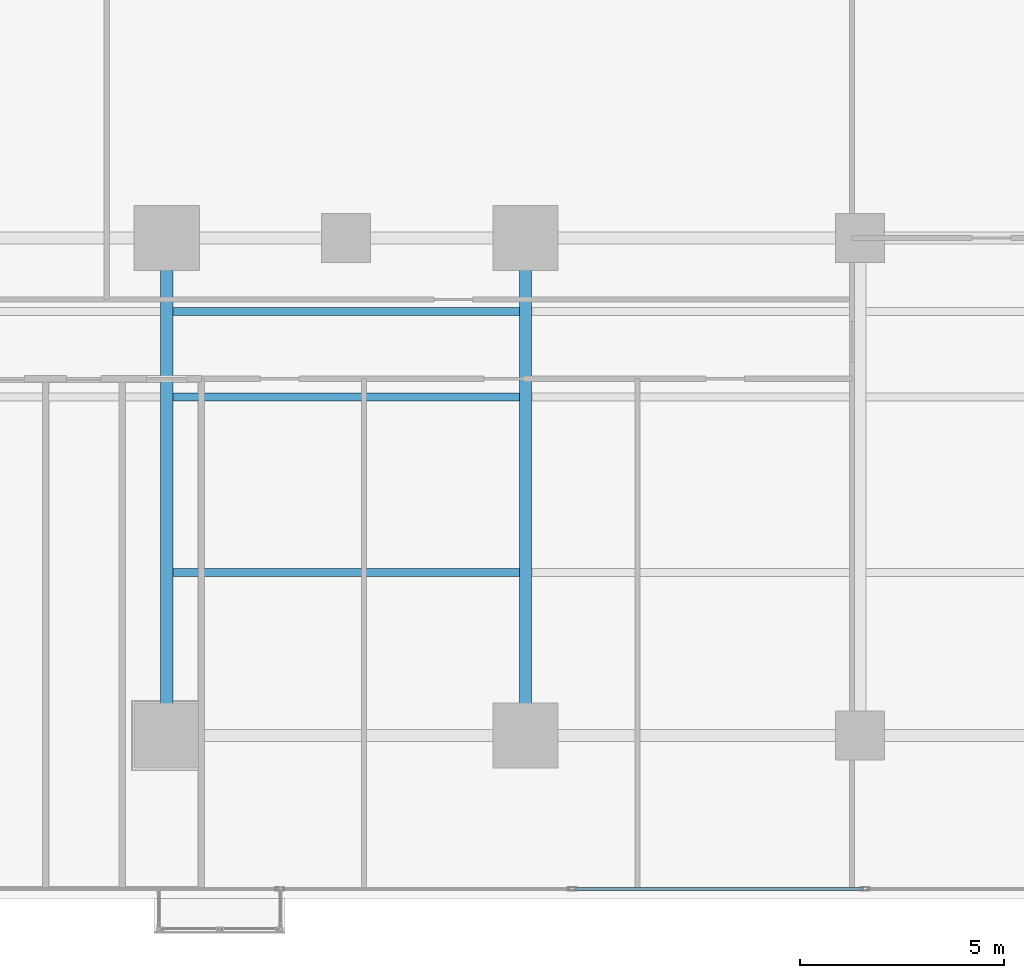
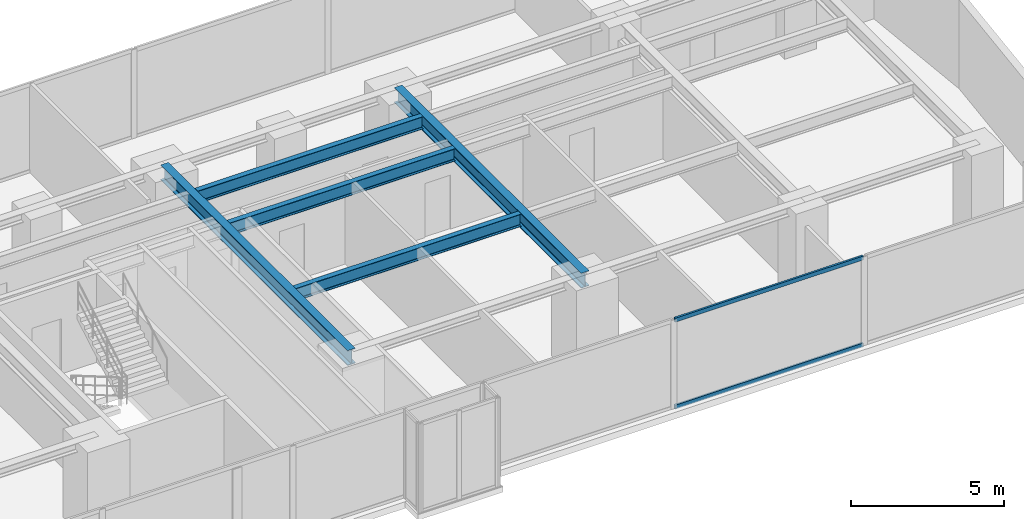
# One storey, part 10 of 28: 5 beams, 2 members, 1 element without a shape of its own.
"""IFC4 building model written with IfcOpenShell, lengths in metres."""

from ifc_helpers import new_model, si_unit, direction, frame, origin, origin_with_axes, origin_2d, place, context, subcontext, project, spatial, hollow_rectangle, i_section, extrude, source, transform, mapped, material, layer, layer_set, material_profile, profile_set, type_object, element, aggregate, save


model = new_model("IFC4")

# Units and contexts
model_context = context("Model", 3, precision=1e-05, world=origin(), true_north=direction((0.0, 1.0)))
body_context = subcontext(model_context, "Body", "Model", "MODEL_VIEW")
ifc_project = project(units=[si_unit("LENGTHUNIT", "METRE"), si_unit("AREAUNIT", "SQUARE_METRE"), si_unit("VOLUMEUNIT", "CUBIC_METRE"), si_unit("PLANEANGLEUNIT", "RADIAN"), si_unit("MASSUNIT", "GRAM", prefix="KILO")], contexts=[model_context])

# Site, building, storey
site_placement = place(None, origin())
site = spatial("IfcSite", under=ifc_project, at=site_placement, CompositionType="ELEMENT")
building_placement = place(site_placement, origin())
building = spatial("IfcBuilding", under=site, at=building_placement, Name="Kolvaren Waterfront Exchange", CompositionType="ELEMENT")
storey_placement = place(building_placement, frame((0.0, 0.0, 56.199951171875)))
storey = spatial("IfcBuildingStorey", under=building, at=storey_placement, Name="L14", CompositionType="ELEMENT", Elevation=56.199951171875)

# Beams
ifc_material_1 = material(Name="Steel S355", Category="steel")
ifc_material_profile_1 = material_profile(ifc_material_1, i_section(OverallWidth=0.300048828125, OverallDepth=0.60009765625, WebThickness=0.015380859375, FlangeThickness=0.030029296875, FilletRadius=0.027099609375, at=origin_2d()), Name="HEB600")
ifc_profile_set_1 = profile_set([ifc_material_profile_1], Name="Steel S355")
beam_type_1 = type_object("IfcBeamType", Name="STR-BM-HEB600", PredefinedType="BEAM", material=ifc_profile_set_1)
for number, where, z_axis, x_axis, name in (
    (1, (36.800048828125, 5.199951171875, 3.239990234375), (0.0, 1.0, 0.0), (-1.0, 0.0, 0.0), "L14 east-arm transverse girder X36"),
    (2, (45.60009765625, 5.199951171875, 3.239990234375), (0.0, 1.0, 0.0), (-1.0, 0.0, 0.0), "L14 east-arm transverse girder X45"),
):
    element("IfcBeam", number, at=place(storey_placement, frame(where, z_axis=z_axis, x_axis=x_axis)), inside=storey, type_object=beam_type_1, Name=name, PredefinedType="BEAM", context=body_context, shape_type="SweptSolid", body=[
        extrude(i_section(OverallWidth=0.300048828125, OverallDepth=0.60009765625, WebThickness=0.015380859375, FlangeThickness=0.030029296875, FilletRadius=0.027099609375, at=origin_2d()), origin(), (0.0, 0.0, 1.0), 12.199951171875),
    ])
ifc_material_profile_2 = material_profile(ifc_material_1, i_section(OverallWidth=0.199951171875, OverallDepth=0.5, WebThickness=0.01025390625, FlangeThickness=0.01611328125, FilletRadius=0.02099609375, at=origin_2d()), Name="IPE500")
ifc_profile_set_2 = profile_set([ifc_material_profile_2], Name="Steel S355")
beam_type_2 = type_object("IfcBeamType", Name="STR-BM-IPE500", PredefinedType="JOIST", material=ifc_profile_set_2)
for number, where, z_axis, x_axis, name in (
    (3, (36.951904296875, 13.5, 3.2900390625), (1.0, 0.0, 0.0), (0.0, 1.0, 0.0), "L14 east-arm composite joist 3A"),
    (4, (36.951904296875, 15.60009765625, 3.2900390625), (1.0, 0.0, 0.0), (0.0, 1.0, 0.0), "L14 east-arm composite joist 3C"),
    (5, (36.951904296875, 9.199951171875, 3.2900390625), (1.0, 0.0, 0.0), (0.0, 1.0, 0.0), "L14 east-arm composite joist 3B"),
):
    element("IfcBeam", number, at=place(storey_placement, frame(where, z_axis=z_axis, x_axis=x_axis)), inside=storey, type_object=beam_type_2, Name=name, PredefinedType="JOIST", context=body_context, shape_type="SweptSolid", body=[
        extrude(i_section(OverallWidth=0.199951171875, OverallDepth=0.5, WebThickness=0.01025390625, FlangeThickness=0.01611328125, FilletRadius=0.02099609375, at=origin_2d()), origin(), (0.0, 0.0, 1.0), 8.49609375),
    ])

# Curtain wall, members
ifc_material_2 = material(Name="Anodised bronze aluminium 6063-T6", Category="aluminium")
ifc_layer = layer(ifc_material_2, 0.219970703125, Name="Anodised bronze aluminium 6063-T6")
ifc_layer_set = layer_set([ifc_layer], Name="Anodised bronze aluminium 6063-T6")
curtain_wall_type = type_object("IfcCurtainWallType", Name="ARC-CW-SYS1", PredefinedType="USERDEFINED", material=ifc_layer_set)
curtain_wall_placement = place(storey_placement, origin())
curtain_wall = element("IfcCurtainWall", 6, at=curtain_wall_placement, inside=storey, type_object=curtain_wall_type, Name="L14 stick curtain wall CW1 (CW-L14-S)", ObjectType="STICK CURTAIN WALL", PredefinedType="USERDEFINED")
ifc_material_3 = material(Name="Anodised aluminium 6063-T6", Category="aluminium")
ifc_material_profile_3 = material_profile(ifc_material_3, hollow_rectangle(XDim=0.074951171875, YDim=0.159912109375, WallThickness=0.00439453125, at=origin_2d()), Name="ALU-TRN-160x75x4.5")
ifc_profile_set_3 = profile_set([ifc_material_profile_3], Name="Anodised aluminium 6063-T6")
member_type = type_object("IfcMemberType", Name="ARC-CWT-160", PredefinedType="USERDEFINED", material=ifc_profile_set_3)
shared_shape = source(origin_with_axes(), body_context, "Body", "SweptSolid", [
    extrude(hollow_rectangle(XDim=0.074951171875, YDim=0.159912109375, WallThickness=0.00439453125, at=origin_2d()), origin(), (0.0, 0.0, 1.0), 7.094970703125),
])
member_1_placement = place(storey_placement, frame((46.7900390625, 1.43994140625, 0.03759765625), z_axis=(1.0, 0.0, 0.0), x_axis=(0.0, 1.0, 0.0)))
member_1 = element("IfcMember", 7, at=member_1_placement, type_object=member_type, Name="CW1 transom 7.1", ObjectType="TRANSOM", PredefinedType="USERDEFINED", context=body_context, shape_type="MappedRepresentation", body=[
    mapped(shared_shape, transform((0.0, 0.0, 0.0), x_axis=(1.0, 0.0, 0.0), y_axis=(0.0, 1.0, 0.0), z_axis=(0.0, 0.0, 1.0), scale=1.0)),
])
member_2_placement = place(storey_placement, frame((46.7900390625, 1.43994140625, 3.50244140625), z_axis=(1.0, 0.0, 0.0), x_axis=(0.0, 1.0, 0.0)))
member_2 = element("IfcMember", 8, at=member_2_placement, type_object=member_type, Name="CW1 transom 7.2", ObjectType="TRANSOM", PredefinedType="USERDEFINED", context=body_context, shape_type="MappedRepresentation", body=[
    mapped(shared_shape, transform((0.0, 0.0, 0.0), x_axis=(1.0, 0.0, 0.0), y_axis=(0.0, 1.0, 0.0), z_axis=(0.0, 0.0, 1.0), scale=1.0)),
])
aggregate(curtain_wall, [member_1, member_2])

save(model, "model.ifc")
